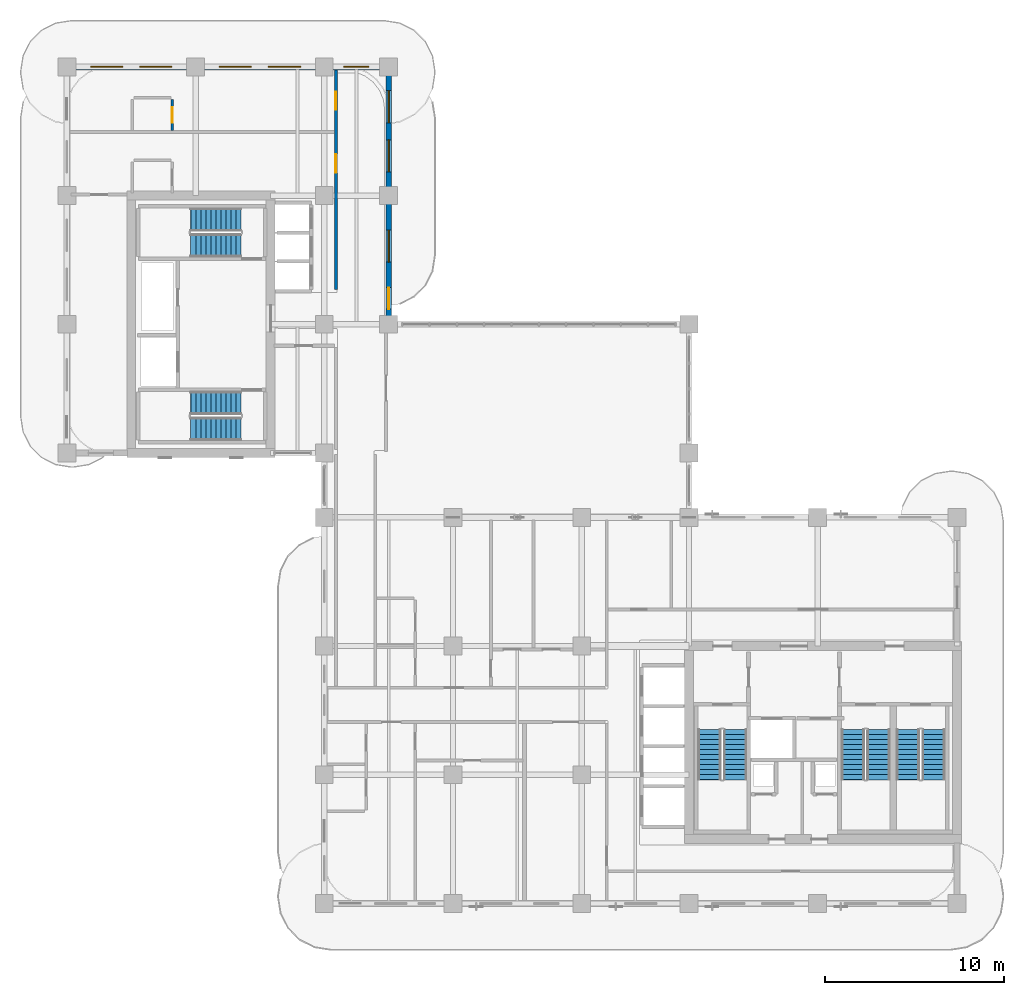
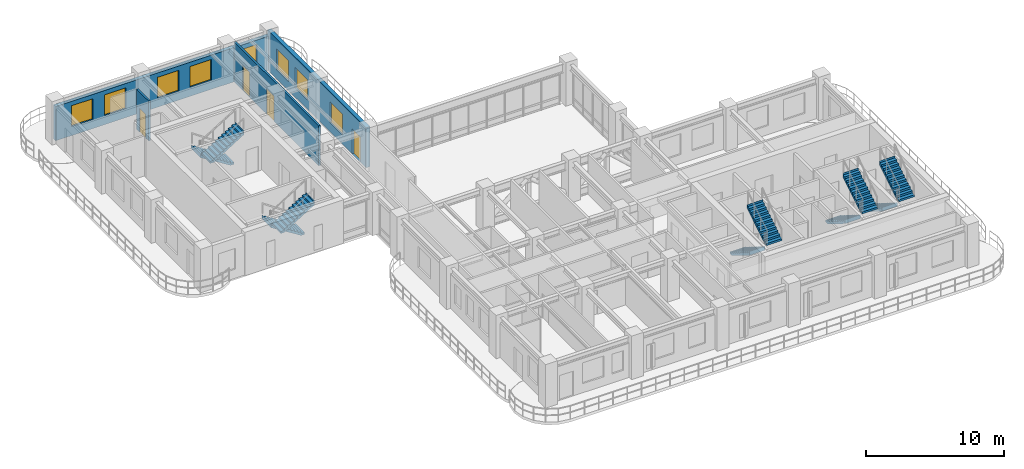
# One storey, part 13 of 17: 10 stair flights, 8 windows, 4 doors, 4 walls, 12 openings, 5 elements without a shape of their own.
"""IFC4 building model written with IfcOpenShell, lengths in metres."""

from ifc_helpers import new_model, si_unit, derived_unit, direction, frame, frame_2d, origin, place, context, subcontext, project, spatial, polyline, rectangle, outline, extrude, source, transform, mapped, material, layer, layer_set, type_object, type_shapes, element, fill, aggregate, save


model = new_model("IFC4")

# Units and contexts
model_context = context("Model", 3, precision=1e-05, world=origin(), true_north=direction((0.0, 1.0)))
body_context = subcontext(model_context, "Body", "Model", "MODEL_VIEW")
ifc_project = project(units=[si_unit("LENGTHUNIT", "METRE"), si_unit("AREAUNIT", "SQUARE_METRE"), si_unit("VOLUMEUNIT", "CUBIC_METRE"), si_unit("PLANEANGLEUNIT", "RADIAN"), si_unit("MASSUNIT", "GRAM", prefix="KILO"), si_unit("THERMODYNAMICTEMPERATUREUNIT", "KELVIN"), si_unit("POWERUNIT", "WATT"), derived_unit("THERMALTRANSMITTANCEUNIT", [(si_unit("POWERUNIT", "WATT"), 1), (si_unit("AREAUNIT", "SQUARE_METRE"), -1), (si_unit("THERMODYNAMICTEMPERATUREUNIT", "KELVIN"), -1)])], contexts=[model_context])

# Site, building, storey
site_placement = place(None, origin())
site = spatial("IfcSite", under=ifc_project, at=site_placement, CompositionType="ELEMENT")
building_placement = place(site_placement, origin())
building = spatial("IfcBuilding", under=site, at=building_placement, Name="Zahravan Archway Hotel and Residences", CompositionType="ELEMENT")
storey_placement = place(building_placement, frame((0.0, 0.0, 192.64990234375)))
storey = spatial("IfcBuildingStorey", under=building, at=storey_placement, Name="L48", CompositionType="ELEMENT", Elevation=192.64990234375)

# Wall, openings, windows
ifc_material_1 = material(Name="Agra Buff Sandstone & Insulated Backup", Category="masonry")
ifc_layer_1 = layer(ifc_material_1, 0.320068359375, Name="Agra Buff Sandstone & Insulated Backup", Category="masonry")
ifc_layer_set_1 = layer_set([ifc_layer_1], Name="Agra Buff Sandstone & Insulated Backup")
wall_type_1 = type_object("IfcWallType", Name="EW-SAND-320", PredefinedType="SOLIDWALL", material=ifc_layer_set_1)
wall_1_placement = place(storey_placement, frame((0.0, 46.800048828125, 0.0), z_axis=(0.0, 0.0, 1.0), x_axis=(1.0, 0.0, 0.0)))
wall_1 = element("IfcWall", 1, at=wall_1_placement, inside=storey, type_object=wall_type_1, Name="L48 Exterior Sandstone Wall WB-N", PredefinedType="SOLIDWALL", context=body_context, shape_type="SweptSolid", body=[
    extrude(rectangle(XDim=18.0, YDim=0.320068359375, at=frame_2d((9.0, 0.0))), origin(), (0.0, 0.0, 1.0), 3.03515625),
])
opening_1_placement = place(wall_1_placement, frame((1.324951171875, 0.0, 0.800048828125)))
opening_1 = element("IfcOpeningElement", 2, at=opening_1_placement, cuts=wall_1, Name="Opening W-02", PredefinedType="OPENING", context=body_context, shape_type="SweptSolid", body=[
    extrude(rectangle(XDim=1.800048828125, YDim=1.85009765625, at=frame_2d((0.89990234375, 0.925048828125))), frame((0.0, 0.169921875, 0.0), z_axis=(0.0, -1.0, 0.0), x_axis=(1.0, 0.0, 0.0)), (0.0, 0.0, 1.0), 0.340087890625),
])
opening_2_placement = place(wall_1_placement, frame((4.074951171875, 0.0, 0.800048828125)))
opening_2 = element("IfcOpeningElement", 3, at=opening_2_placement, cuts=wall_1, Name="Opening W-02", PredefinedType="OPENING", context=body_context, shape_type="SweptSolid", body=[
    extrude(rectangle(XDim=1.800048828125, YDim=1.85009765625, at=frame_2d((0.89990234375, 0.925048828125))), frame((0.0, 0.169921875, 0.0), z_axis=(0.0, -1.0, 0.0), x_axis=(1.0, 0.0, 0.0)), (0.0, 0.0, 1.0), 0.340087890625),
])
opening_3_placement = place(wall_1_placement, frame((8.52490234375, 0.0, 0.800048828125)))
opening_3 = element("IfcOpeningElement", 4, at=opening_3_placement, cuts=wall_1, Name="Opening W-02", PredefinedType="OPENING", context=body_context, shape_type="SweptSolid", body=[
    extrude(rectangle(XDim=1.800048828125, YDim=1.85009765625, at=frame_2d((0.89990234375, 0.925048828125))), frame((0.0, 0.169921875, 0.0), z_axis=(0.0, -1.0, 0.0), x_axis=(1.0, 0.0, 0.0)), (0.0, 0.0, 1.0), 0.340087890625),
])
opening_4_placement = place(wall_1_placement, frame((11.27490234375, 0.0, 0.800048828125)))
opening_4 = element("IfcOpeningElement", 5, at=opening_4_placement, cuts=wall_1, Name="Opening W-02", PredefinedType="OPENING", context=body_context, shape_type="SweptSolid", body=[
    extrude(rectangle(XDim=1.800048828125, YDim=1.85009765625, at=frame_2d((0.89990234375, 0.925048828125))), frame((0.0, 0.169921875, 0.0), z_axis=(0.0, -1.0, 0.0), x_axis=(1.0, 0.0, 0.0)), (0.0, 0.0, 1.0), 0.340087890625),
])
opening_5_placement = place(wall_1_placement, frame((15.5, 0.0, 0.800048828125)))
opening_5 = element("IfcOpeningElement", 6, at=opening_5_placement, cuts=wall_1, Name="Opening W-03", PredefinedType="OPENING", context=body_context, shape_type="SweptSolid", body=[
    extrude(rectangle(XDim=1.39990234375, YDim=1.85009765625, at=frame_2d((0.699951171875, 0.925048828125))), frame((0.0, 0.169921875, 0.0), z_axis=(0.0, -1.0, 0.0), x_axis=(1.0, 0.0, 0.0)), (0.0, 0.0, 1.0), 0.340087890625),
])
ifc_material_2 = material(Name="Bronze-Anodized Thermal-Break Aluminium & Low-E Glass", Category="aluminium")
window_type_1 = type_object("IfcWindowType", Name="WIN-TWR-1400", PartitioningType="SINGLE_PANEL", PredefinedType="WINDOW", material=ifc_material_2)
shared_shape_1 = source(origin(), body_context, "Body", "SweptSolid", [
    extrude(rectangle(XDim=1.39990234375, YDim=1.85009765625, at=frame_2d((0.699951171875, 0.925048828125))), frame((0.0, 0.030029296875, 0.0), z_axis=(0.0, -1.0, 0.0), x_axis=(1.0, 0.0, 0.0)), (0.0, 0.0, 1.0), 0.06005859375),
])
type_shapes(window_type_1, [shared_shape_1])
window_1_placement = place(opening_5_placement, origin())
window_1 = element("IfcWindow", 7, at=window_1_placement, inside=storey, type_object=window_type_1, Name="L48 Loggia Window 29", OverallHeight=1.85009765625, OverallWidth=1.39990234375, PartitioningType="SINGLE_PANEL", PredefinedType="WINDOW", context=body_context, shape_type="MappedRepresentation", body=[
    mapped(shared_shape_1, transform((0.0, 0.0, 0.0), scale=1.0)),
])
fill(opening_5, window_1)
window_type_2 = type_object("IfcWindowType", Name="WIN-TWR-1800", PartitioningType="DOUBLE_PANEL_VERTICAL", PredefinedType="WINDOW", material=ifc_material_2)
shared_shape_2 = source(origin(), body_context, "Body", "SweptSolid", [
    extrude(rectangle(XDim=1.800048828125, YDim=1.85009765625, at=frame_2d((0.89990234375, 0.925048828125))), frame((0.0, 0.030029296875, 0.0), z_axis=(0.0, -1.0, 0.0), x_axis=(1.0, 0.0, 0.0)), (0.0, 0.0, 1.0), 0.06005859375),
])
type_shapes(window_type_2, [shared_shape_2])
window_2_placement = place(opening_1_placement, origin())
window_2 = element("IfcWindow", 8, at=window_2_placement, inside=storey, type_object=window_type_2, Name="L48 Loggia Window 25", OverallHeight=1.85009765625, OverallWidth=1.800048828125, PartitioningType="DOUBLE_PANEL_VERTICAL", PredefinedType="WINDOW", context=body_context, shape_type="MappedRepresentation", body=[
    mapped(shared_shape_2, transform((0.0, 0.0, 0.0), scale=1.0)),
])
fill(opening_1, window_2)
window_3_placement = place(opening_2_placement, origin())
window_3 = element("IfcWindow", 9, at=window_3_placement, inside=storey, type_object=window_type_2, Name="L48 Loggia Window 26", OverallHeight=1.85009765625, OverallWidth=1.800048828125, PartitioningType="DOUBLE_PANEL_VERTICAL", PredefinedType="WINDOW", context=body_context, shape_type="MappedRepresentation", body=[
    mapped(shared_shape_2, transform((0.0, 0.0, 0.0), scale=1.0)),
])
fill(opening_2, window_3)
window_4_placement = place(opening_3_placement, origin())
window_4 = element("IfcWindow", 10, at=window_4_placement, inside=storey, type_object=window_type_2, Name="L48 Loggia Window 27", OverallHeight=1.85009765625, OverallWidth=1.800048828125, PartitioningType="DOUBLE_PANEL_VERTICAL", PredefinedType="WINDOW", context=body_context, shape_type="MappedRepresentation", body=[
    mapped(shared_shape_2, transform((0.0, 0.0, 0.0), scale=1.0)),
])
fill(opening_3, window_4)
window_5_placement = place(opening_4_placement, origin())
window_5 = element("IfcWindow", 11, at=window_5_placement, inside=storey, type_object=window_type_2, Name="L48 Loggia Window 28", OverallHeight=1.85009765625, OverallWidth=1.800048828125, PartitioningType="DOUBLE_PANEL_VERTICAL", PredefinedType="WINDOW", context=body_context, shape_type="MappedRepresentation", body=[
    mapped(shared_shape_2, transform((0.0, 0.0, 0.0), scale=1.0)),
])
fill(opening_4, window_5)

# Wall, openings, door, windows
wall_2_placement = place(storey_placement, frame((18.0, 32.39990234375, 0.0), z_axis=(0.0, 0.0, 1.0), x_axis=(0.0, 1.0, 0.0)))
wall_2 = element("IfcWall", 12, at=wall_2_placement, inside=storey, type_object=wall_type_1, Name="L48 Exterior Sandstone Wall WB-EU", PredefinedType="SOLIDWALL", context=body_context, shape_type="SweptSolid", body=[
    extrude(rectangle(XDim=14.35009765625, YDim=0.320068359375, at=frame_2d((7.175048828125, 0.0))), origin(), (0.0, 0.0, 1.0), 3.550048828125),
])
opening_6_placement = place(wall_2_placement, frame((0.85009765625, 0.0, 0.0)))
opening_6 = element("IfcOpeningElement", 13, at=opening_6_placement, cuts=wall_2, Name="Opening ED-BL1", PredefinedType="OPENING", context=body_context, shape_type="SweptSolid", body=[
    extrude(rectangle(XDim=1.199951171875, YDim=2.199951171875, at=frame_2d((0.60009765625, 1.10009765625))), frame((0.0, 0.169921875, 0.0), z_axis=(0.0, -1.0, 0.0), x_axis=(1.0, 0.0, 0.0)), (0.0, 0.0, 1.0), 0.340087890625),
])
opening_7_placement = place(wall_2_placement, frame((3.47509765625, 0.0, 0.800048828125)))
opening_7 = element("IfcOpeningElement", 14, at=opening_7_placement, cuts=wall_2, Name="Opening W-02", PredefinedType="OPENING", context=body_context, shape_type="SweptSolid", body=[
    extrude(rectangle(XDim=1.800048828125, YDim=1.85009765625, at=frame_2d((0.89990234375, 0.925048828125))), frame((0.0, 0.169921875, 0.0), z_axis=(0.0, -1.0, 0.0), x_axis=(1.0, 0.0, 0.0)), (0.0, 0.0, 1.0), 0.340087890625),
])
opening_8_placement = place(wall_2_placement, frame((8.52490234375, 0.0, 0.800048828125)))
opening_8 = element("IfcOpeningElement", 15, at=opening_8_placement, cuts=wall_2, Name="Opening W-02", PredefinedType="OPENING", context=body_context, shape_type="SweptSolid", body=[
    extrude(rectangle(XDim=1.800048828125, YDim=1.85009765625, at=frame_2d((0.89990234375, 0.925048828125))), frame((0.0, 0.169921875, 0.0), z_axis=(0.0, -1.0, 0.0), x_axis=(1.0, 0.0, 0.0)), (0.0, 0.0, 1.0), 0.340087890625),
])
opening_9_placement = place(wall_2_placement, frame((11.27490234375, 0.0, 0.800048828125)))
opening_9 = element("IfcOpeningElement", 16, at=opening_9_placement, cuts=wall_2, Name="Opening W-02", PredefinedType="OPENING", context=body_context, shape_type="SweptSolid", body=[
    extrude(rectangle(XDim=1.800048828125, YDim=1.85009765625, at=frame_2d((0.89990234375, 0.925048828125))), frame((0.0, 0.169921875, 0.0), z_axis=(0.0, -1.0, 0.0), x_axis=(1.0, 0.0, 0.0)), (0.0, 0.0, 1.0), 0.340087890625),
])
ifc_material_3 = material(Name="Bronze-Anodized Glazed Aluminium", Category="aluminium")
door_type_1 = type_object("IfcDoorType", Name="ED-BALC-1200", OperationType="SLIDING_TO_LEFT", PredefinedType="DOOR", material=ifc_material_3)
shared_shape_3 = source(origin(), body_context, "Body", "SweptSolid", [
    extrude(rectangle(XDim=1.199951171875, YDim=2.199951171875, at=frame_2d((0.60009765625, 1.10009765625))), frame((0.0, 0.02490234375, 0.0), z_axis=(0.0, -1.0, 0.0), x_axis=(1.0, 0.0, 0.0)), (0.0, 0.0, 1.0), 0.050048828125),
])
type_shapes(door_type_1, [shared_shape_3])
door_1_placement = place(opening_6_placement, origin())
door_1 = element("IfcDoor", 17, at=door_1_placement, inside=storey, type_object=door_type_1, Name="L48 Outdoor Access Sliding Door (SLB-BAL-L48-EB)", OperationType="SLIDING_TO_LEFT", OverallHeight=2.199951171875, OverallWidth=1.199951171875, PredefinedType="DOOR", context=body_context, shape_type="MappedRepresentation", body=[
    mapped(shared_shape_3, transform((0.0, 0.0, 0.0), scale=1.0)),
])
fill(opening_6, door_1)
window_6_placement = place(opening_7_placement, origin())
window_6 = element("IfcWindow", 18, at=window_6_placement, inside=storey, type_object=window_type_2, Name="L48 Loggia Window 30", OverallHeight=1.85009765625, OverallWidth=1.800048828125, PartitioningType="DOUBLE_PANEL_VERTICAL", PredefinedType="WINDOW", context=body_context, shape_type="MappedRepresentation", body=[
    mapped(shared_shape_2, transform((0.0, 0.0, 0.0), scale=1.0)),
])
fill(opening_7, window_6)
window_7_placement = place(opening_8_placement, origin())
window_7 = element("IfcWindow", 19, at=window_7_placement, inside=storey, type_object=window_type_2, Name="L48 Loggia Window 31", OverallHeight=1.85009765625, OverallWidth=1.800048828125, PartitioningType="DOUBLE_PANEL_VERTICAL", PredefinedType="WINDOW", context=body_context, shape_type="MappedRepresentation", body=[
    mapped(shared_shape_2, transform((0.0, 0.0, 0.0), scale=1.0)),
])
fill(opening_8, window_7)
window_8_placement = place(opening_9_placement, origin())
window_8 = element("IfcWindow", 20, at=window_8_placement, inside=storey, type_object=window_type_2, Name="L48 Loggia Window 32", OverallHeight=1.85009765625, OverallWidth=1.800048828125, PartitioningType="DOUBLE_PANEL_VERTICAL", PredefinedType="WINDOW", context=body_context, shape_type="MappedRepresentation", body=[
    mapped(shared_shape_2, transform((0.0, 0.0, 0.0), scale=1.0)),
])
fill(opening_9, window_8)

# Wall, openings, doors
ifc_material_4 = material(Name="Fire-Rated Gypsum & Concrete Block", Category="concrete")
ifc_layer_2 = layer(ifc_material_4, 0.159912109375, Name="Fire-Rated Gypsum & Concrete Block", Category="concrete")
ifc_layer_set_2 = layer_set([ifc_layer_2], Name="Fire-Rated Gypsum & Concrete Block")
wall_type_2 = type_object("IfcWallType", Name="PW-CORR-160", PredefinedType="PARTITIONING", material=ifc_layer_set_2)
wall_3_placement = place(storey_placement, frame((15.050048828125, 34.340087890625, 0.0), z_axis=(0.0, 0.0, 1.0), x_axis=(0.0, 1.0, 0.0)))
wall_3 = element("IfcWall", 21, at=wall_3_placement, inside=storey, type_object=wall_type_2, Name="L48 Partition WBN-C", PredefinedType="PARTITIONING", context=body_context, shape_type="SweptSolid", body=[
    extrude(rectangle(XDim=12.2919921875, YDim=0.159912109375, at=frame_2d((6.14599609375, 0.0))), origin(), (0.0, 0.0, 1.0), 3.550048828125),
])
opening_10_placement = place(wall_3_placement, frame((6.534912109375, 0.0, 0.0)))
opening_10 = element("IfcOpeningElement", 22, at=opening_10_placement, cuts=wall_3, Name="Opening D-U1", PredefinedType="OPENING", context=body_context, shape_type="SweptSolid", body=[
    extrude(rectangle(XDim=1.050048828125, YDim=2.25, at=frame_2d((0.52490234375, 1.125))), frame((0.0, 0.08984375, 0.0), z_axis=(0.0, -1.0, 0.0), x_axis=(1.0, 0.0, 0.0)), (0.0, 0.0, 1.0), 0.179931640625),
])
opening_11_placement = place(wall_3_placement, frame((10.06005859375, 0.0, 0.0)))
opening_11 = element("IfcOpeningElement", 23, at=opening_11_placement, cuts=wall_3, Name="Opening D-U2", PredefinedType="OPENING", context=body_context, shape_type="SweptSolid", body=[
    extrude(rectangle(XDim=1.0, YDim=2.199951171875, at=frame_2d((0.5, 1.10009765625))), frame((0.0, 0.08984375, 0.0), z_axis=(0.0, -1.0, 0.0), x_axis=(1.0, 0.0, 0.0)), (0.0, 0.0, 1.0), 0.179931640625),
])
ifc_material_5 = material(Name="Hardwood Veneer Timber", Category="wood")
door_type_2 = type_object("IfcDoorType", Name="ID-UNIT-1050", OperationType="NOTDEFINED", PredefinedType="DOOR", material=ifc_material_5)
shared_shape_4 = source(origin(), body_context, "Body", "SweptSolid", [
    extrude(rectangle(XDim=1.050048828125, YDim=2.25, at=frame_2d((0.52490234375, 1.125))), frame((0.0, 0.02490234375, 0.0), z_axis=(0.0, -1.0, 0.0), x_axis=(1.0, 0.0, 0.0)), (0.0, 0.0, 1.0), 0.050048828125),
])
type_shapes(door_type_2, [shared_shape_4])
door_2_placement = place(opening_10_placement, origin())
door_2 = element("IfcDoor", 24, at=door_2_placement, inside=storey, type_object=door_type_2, Name="L48 Hotel Guestroom 76 Entrance Door", OperationType="SINGLE_SWING_RIGHT", OverallHeight=2.25, OverallWidth=1.050048828125, PredefinedType="DOOR", context=body_context, shape_type="MappedRepresentation", body=[
    mapped(shared_shape_4, transform((0.0, 0.0, 0.0), scale=1.0)),
])
fill(opening_10, door_2)
door_type_3 = type_object("IfcDoorType", Name="ID-UNIT-1000", OperationType="NOTDEFINED", PredefinedType="DOOR", material=ifc_material_5)
shared_shape_5 = source(origin(), body_context, "Body", "SweptSolid", [
    extrude(rectangle(XDim=1.0, YDim=2.199951171875, at=frame_2d((0.5, 1.10009765625))), frame((0.0, 0.02490234375, 0.0), z_axis=(0.0, -1.0, 0.0), x_axis=(1.0, 0.0, 0.0)), (0.0, 0.0, 1.0), 0.050048828125),
])
type_shapes(door_type_3, [shared_shape_5])
door_3_placement = place(opening_11_placement, origin())
door_3 = element("IfcDoor", 25, at=door_3_placement, inside=storey, type_object=door_type_3, Name="L48 Hotel Guestroom 77 Entrance Door", OperationType="SINGLE_SWING_LEFT", OverallHeight=2.199951171875, OverallWidth=1.0, PredefinedType="DOOR", context=body_context, shape_type="MappedRepresentation", body=[
    mapped(shared_shape_5, transform((0.0, 0.0, 0.0), scale=1.0)),
])
fill(opening_11, door_3)

# Wall, opening, door
ifc_material_6 = material(Name="Moisture-Resistant Blockwork", Category="masonry")
ifc_layer_3 = layer(ifc_material_6, 0.139892578125, Name="Moisture-Resistant Blockwork", Category="masonry")
ifc_layer_set_3 = layer_set([ifc_layer_3], Name="Moisture-Resistant Blockwork")
wall_type_3 = type_object("IfcWallType", Name="PW-WET-140", PredefinedType="PARTITIONING", material=ifc_layer_set_3)
wall_4_placement = place(storey_placement, frame((5.89990234375, 43.239990234375, 0.0), z_axis=(0.0, 0.0, 1.0), x_axis=(0.0, 1.0, 0.0)))
wall_4 = element("IfcWall", 26, at=wall_4_placement, inside=storey, type_object=wall_type_3, Name="L48 Partition HKB-V77", PredefinedType="PARTITIONING", context=body_context, shape_type="SweptSolid", body=[
    extrude(rectangle(XDim=1.7451171875, YDim=0.139892578125, at=frame_2d((0.87255859375, 0.0))), origin(), (0.0, 0.0, 1.0), 3.550048828125),
])
opening_12_placement = place(wall_4_placement, frame((0.447509765625, 0.0, 0.0)))
opening_12 = element("IfcOpeningElement", 27, at=opening_12_placement, cuts=wall_4, Name="Opening D-B1", PredefinedType="OPENING", context=body_context, shape_type="SweptSolid", body=[
    extrude(rectangle(XDim=0.85009765625, YDim=2.10009765625, at=frame_2d((0.425048828125, 1.050048828125))), frame((0.0, 0.080078125, 0.0), z_axis=(0.0, -1.0, 0.0), x_axis=(1.0, 0.0, 0.0)), (0.0, 0.0, 1.0), 0.159912109375),
])
door_type_4 = type_object("IfcDoorType", Name="ID-BATH-850", OperationType="NOTDEFINED", PredefinedType="DOOR", material=ifc_material_5)
shared_shape_6 = source(origin(), body_context, "Body", "SweptSolid", [
    extrude(rectangle(XDim=0.85009765625, YDim=2.10009765625, at=frame_2d((0.425048828125, 1.050048828125))), frame((0.0, 0.02490234375, 0.0), z_axis=(0.0, -1.0, 0.0), x_axis=(1.0, 0.0, 0.0)), (0.0, 0.0, 1.0), 0.050048828125),
])
type_shapes(door_type_4, [shared_shape_6])
door_4_placement = place(opening_12_placement, origin())
door_4 = element("IfcDoor", 28, at=door_4_placement, inside=storey, type_object=door_type_4, Name="L48 Guestroom 77 En-Suite Door", OperationType="SINGLE_SWING_LEFT", OverallHeight=2.10009765625, OverallWidth=0.85009765625, PredefinedType="DOOR", context=body_context, shape_type="MappedRepresentation", body=[
    mapped(shared_shape_6, transform((0.0, 0.0, 0.0), scale=1.0)),
])
fill(opening_12, door_4)

# Stair, stair flights
ifc_material_7 = material(Name="Concrete C50/60", Category="concrete")
stair_type = type_object("IfcStairType", Name="STR-CORE-1300", PredefinedType="HALF_TURN_STAIR", material=ifc_material_7)
stair_1_placement = place(storey_placement, origin())
stair_1 = element("IfcStair", 29, at=stair_1_placement, inside=storey, type_object=stair_type, Name="L48 Core A Exit Stair 1", PredefinedType="HALF_TURN_STAIR")
ifc_layer_4 = layer(ifc_material_7, 0.199951171875, Name="Concrete C50/60", Category="concrete")
ifc_layer_set_4 = layer_set([ifc_layer_4], Name="Concrete C50/60")
stair_flight_type = type_object("IfcStairFlightType", Name="SFL-CORE-1300", PredefinedType="STRAIGHT", material=ifc_layer_set_4)
shared_shape_7 = source(origin(), body_context, "Body", "SweptSolid", [
    extrude(outline(polyline([(-0.01611328125, 0.0), (-0.01611328125, 0.175048828125), (0.280029296875, 0.175048828125), (0.280029296875, 0.35009765625), (0.56005859375, 0.35009765625), (0.56005859375, 0.52490234375), (0.840087890625, 0.52490234375), (0.840087890625, 0.699951171875), (1.1201171875, 0.699951171875), (1.1201171875, 0.875), (1.39990234375, 0.875), (1.39990234375, 1.050048828125), (1.679931640625, 1.050048828125), (1.679931640625, 1.22509765625), (1.9599609375, 1.22509765625), (1.9599609375, 1.39990234375), (2.239990234375, 1.39990234375), (2.239990234375, 1.574951171875), (2.52001953125, 1.574951171875), (2.52001953125, 1.75), (2.800048828125, 1.75), (2.800048828125, 1.925048828125), (2.816162109375, 1.925048828125), (2.816162109375, 1.5732421875), (0.28271484375, 0.0), (-0.01611328125, 0.0)])), frame((0.0, 0.64990234375, 0.0), z_axis=(0.0, -1.0, 0.0), x_axis=(1.0, 0.0, 0.0)), (0.0, 0.0, 1.0), 1.300048828125),
])
stair_flight_1_placement = place(storey_placement, frame((35.949951171875, 9.72998046875, 0.0), z_axis=(0.0, 0.0, 1.0), x_axis=(0.0, -1.0, 0.0)))
stair_flight_1 = element("IfcStairFlight", 30, at=stair_flight_1_placement, type_object=stair_flight_type, Name="ST-A1 flight 1", NumberOfRisers=11, NumberOfTreads=10, PredefinedType="STRAIGHT", RiserHeight=0.175, TreadLength=0.28, context=body_context, shape_type="MappedRepresentation", body=[
    mapped(shared_shape_7, transform((0.0, 0.0, 0.0), scale=1.0)),
])
stair_flight_2_placement = place(storey_placement, frame((37.389892578125, 6.929931640625, 1.925048828125), z_axis=(0.0, 0.0, 1.0), x_axis=(0.0, 1.0, 0.0)))
stair_flight_2 = element("IfcStairFlight", 31, at=stair_flight_2_placement, type_object=stair_flight_type, Name="ST-A1 flight 2", NumberOfRisers=11, NumberOfTreads=10, PredefinedType="STRAIGHT", RiserHeight=0.175, TreadLength=0.28, context=body_context, shape_type="MappedRepresentation", body=[
    mapped(shared_shape_7, transform((0.0, 0.0, 0.0), scale=1.0)),
])
aggregate(stair_1, [stair_flight_1, stair_flight_2])

stair_2_placement = place(storey_placement, origin())
stair_2 = element("IfcStair", 32, at=stair_2_placement, inside=storey, type_object=stair_type, Name="L48 Core A Exit Stair 2", PredefinedType="HALF_TURN_STAIR")
stair_flight_3_placement = place(storey_placement, frame((43.969970703125, 9.72998046875, 0.0), z_axis=(0.0, 0.0, 1.0), x_axis=(0.0, -1.0, 0.0)))
stair_flight_3 = element("IfcStairFlight", 33, at=stair_flight_3_placement, type_object=stair_flight_type, Name="ST-A2 flight 1", NumberOfRisers=11, NumberOfTreads=10, PredefinedType="STRAIGHT", RiserHeight=0.175, TreadLength=0.28, context=body_context, shape_type="MappedRepresentation", body=[
    mapped(shared_shape_7, transform((0.0, 0.0, 0.0), scale=1.0)),
])
stair_flight_4_placement = place(storey_placement, frame((45.409912109375, 6.929931640625, 1.925048828125), z_axis=(0.0, 0.0, 1.0), x_axis=(0.0, 1.0, 0.0)))
stair_flight_4 = element("IfcStairFlight", 34, at=stair_flight_4_placement, type_object=stair_flight_type, Name="ST-A2 flight 2", NumberOfRisers=11, NumberOfTreads=10, PredefinedType="STRAIGHT", RiserHeight=0.175, TreadLength=0.28, context=body_context, shape_type="MappedRepresentation", body=[
    mapped(shared_shape_7, transform((0.0, 0.0, 0.0), scale=1.0)),
])
aggregate(stair_2, [stair_flight_3, stair_flight_4])

stair_3_placement = place(storey_placement, origin())
stair_3 = element("IfcStair", 35, at=stair_3_placement, inside=storey, type_object=stair_type, Name="L48 Core A Exit Stair 3", PredefinedType="HALF_TURN_STAIR")
stair_flight_5_placement = place(storey_placement, frame((47.050048828125, 9.72998046875, 0.0), z_axis=(0.0, 0.0, 1.0), x_axis=(0.0, -1.0, 0.0)))
stair_flight_5 = element("IfcStairFlight", 36, at=stair_flight_5_placement, type_object=stair_flight_type, Name="ST-A3 flight 1", NumberOfRisers=11, NumberOfTreads=10, PredefinedType="STRAIGHT", RiserHeight=0.175, TreadLength=0.28, context=body_context, shape_type="MappedRepresentation", body=[
    mapped(shared_shape_7, transform((0.0, 0.0, 0.0), scale=1.0)),
])
stair_flight_6_placement = place(storey_placement, frame((48.489990234375, 6.929931640625, 1.925048828125), z_axis=(0.0, 0.0, 1.0), x_axis=(0.0, 1.0, 0.0)))
stair_flight_6 = element("IfcStairFlight", 37, at=stair_flight_6_placement, type_object=stair_flight_type, Name="ST-A3 flight 2", NumberOfRisers=11, NumberOfTreads=10, PredefinedType="STRAIGHT", RiserHeight=0.175, TreadLength=0.28, context=body_context, shape_type="MappedRepresentation", body=[
    mapped(shared_shape_7, transform((0.0, 0.0, 0.0), scale=1.0)),
])
aggregate(stair_3, [stair_flight_5, stair_flight_6])

stair_4_placement = place(storey_placement, origin())
stair_4 = element("IfcStair", 38, at=stair_4_placement, inside=storey, type_object=stair_type, Name="L48 Core B Exit Stair 1", PredefinedType="HALF_TURN_STAIR")
stair_flight_7_placement = place(storey_placement, frame((9.72998046875, 27.989990234375, 0.0), z_axis=(0.0, 0.0, 1.0), x_axis=(-1.0, 0.0, 0.0)))
stair_flight_7 = element("IfcStairFlight", 39, at=stair_flight_7_placement, type_object=stair_flight_type, Name="ST-B1 flight 1", NumberOfRisers=11, NumberOfTreads=10, PredefinedType="STRAIGHT", RiserHeight=0.175, TreadLength=0.28, context=body_context, shape_type="MappedRepresentation", body=[
    mapped(shared_shape_7, transform((0.0, 0.0, 0.0), scale=1.0)),
])
stair_flight_8_placement = place(storey_placement, frame((6.929931640625, 26.550048828125, 1.925048828125), z_axis=(0.0, 0.0, 1.0), x_axis=(1.0, 0.0, 0.0)))
stair_flight_8 = element("IfcStairFlight", 40, at=stair_flight_8_placement, type_object=stair_flight_type, Name="ST-B1 flight 2", NumberOfRisers=11, NumberOfTreads=10, PredefinedType="STRAIGHT", RiserHeight=0.175, TreadLength=0.28, context=body_context, shape_type="MappedRepresentation", body=[
    mapped(shared_shape_7, transform((0.0, 0.0, 0.0), scale=1.0)),
])
aggregate(stair_4, [stair_flight_7, stair_flight_8])

stair_5_placement = place(storey_placement, origin())
stair_5 = element("IfcStair", 41, at=stair_5_placement, inside=storey, type_object=stair_type, Name="L48 Core B Exit Stair 2", PredefinedType="HALF_TURN_STAIR")
stair_flight_9_placement = place(storey_placement, frame((9.72998046875, 38.25, 0.0), z_axis=(0.0, 0.0, 1.0), x_axis=(-1.0, 0.0, 0.0)))
stair_flight_9 = element("IfcStairFlight", 42, at=stair_flight_9_placement, type_object=stair_flight_type, Name="ST-B2 flight 1", NumberOfRisers=11, NumberOfTreads=10, PredefinedType="STRAIGHT", RiserHeight=0.175, TreadLength=0.28, context=body_context, shape_type="MappedRepresentation", body=[
    mapped(shared_shape_7, transform((0.0, 0.0, 0.0), scale=1.0)),
])
stair_flight_10_placement = place(storey_placement, frame((6.929931640625, 36.81005859375, 1.925048828125), z_axis=(0.0, 0.0, 1.0), x_axis=(1.0, 0.0, 0.0)))
stair_flight_10 = element("IfcStairFlight", 43, at=stair_flight_10_placement, type_object=stair_flight_type, Name="ST-B2 flight 2", NumberOfRisers=11, NumberOfTreads=10, PredefinedType="STRAIGHT", RiserHeight=0.175, TreadLength=0.28, context=body_context, shape_type="MappedRepresentation", body=[
    mapped(shared_shape_7, transform((0.0, 0.0, 0.0), scale=1.0)),
])
aggregate(stair_5, [stair_flight_9, stair_flight_10])

save(model, "model.ifc")
